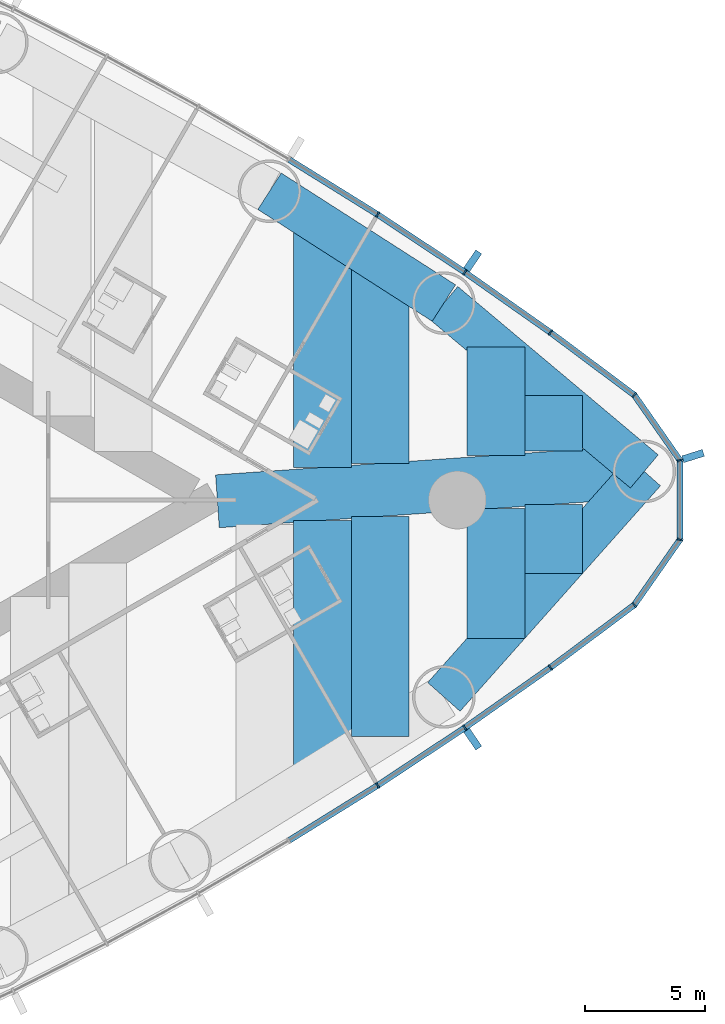
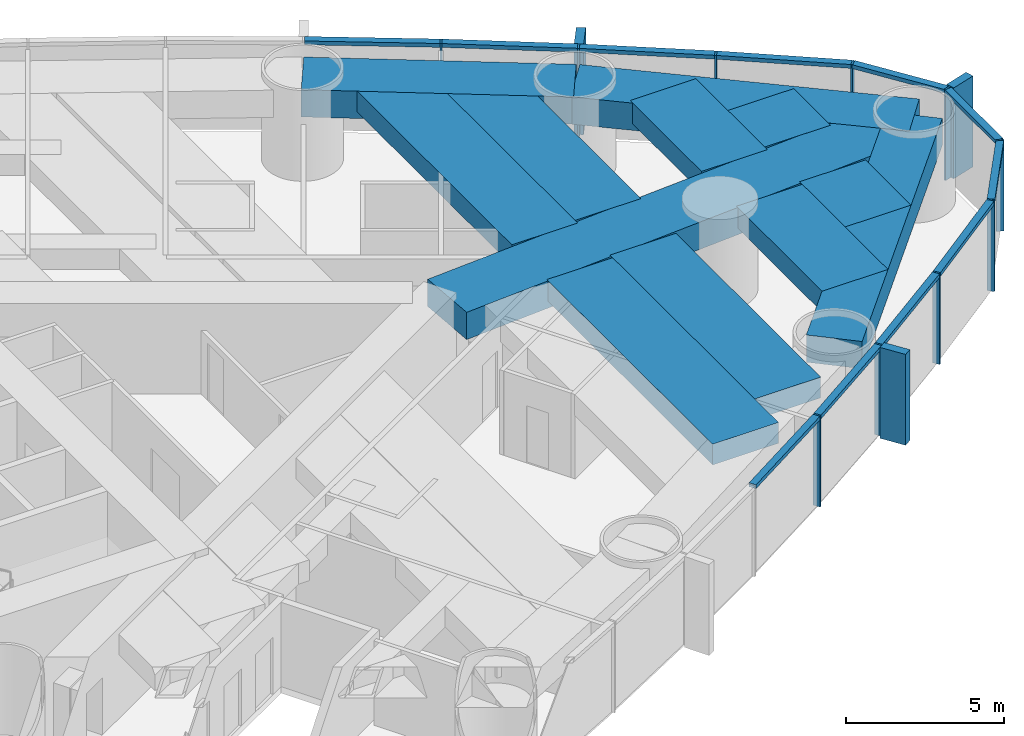
# One storey, part 8 of 19: 24 members, 12 beams, 1 element without a shape of its own.
"""IFC4 building model written with IfcOpenShell, lengths in metres."""

from ifc_helpers import new_model, si_unit, direction, frame, origin, origin_2d, place, context, subcontext, project, spatial, rectangle, extrude, material, material_profile, profile_set, type_object, element, aggregate, save


model = new_model("IFC4")

# Units and contexts
model_context = context("Model", 3, precision=1e-05, world=origin(), true_north=direction((0.0, 1.0)))
body_context = subcontext(model_context, "Body", "Model", "MODEL_VIEW")
ifc_project = project(units=[si_unit("LENGTHUNIT", "METRE"), si_unit("AREAUNIT", "SQUARE_METRE"), si_unit("VOLUMEUNIT", "CUBIC_METRE"), si_unit("PLANEANGLEUNIT", "RADIAN"), si_unit("MASSUNIT", "GRAM", prefix="KILO")], contexts=[model_context])

# Site, building, storey
site_placement = place(None, origin())
site = spatial("IfcSite", under=ifc_project, at=site_placement, CompositionType="ELEMENT")
building_placement = place(site_placement, origin())
building = spatial("IfcBuilding", under=site, at=building_placement, Name="Lancet Gate Hotel", CompositionType="ELEMENT")
storey_placement = place(building_placement, frame((0.0, 0.0, 111.60009765625)))
storey = spatial("IfcBuildingStorey", under=building, at=storey_placement, Name="L29", CompositionType="ELEMENT", Elevation=111.60009765625)

# Curtain wall, members
ifc_material_1 = material(Name="Aluminium curtain wall", Category="aluminium")
curtain_wall_type = type_object("IfcCurtainWallType", Name="Tower unitised curtain wall", PredefinedType="USERDEFINED", material=ifc_material_1)
curtain_wall_placement = place(storey_placement, origin())
curtain_wall = element("IfcCurtainWall", 1, at=curtain_wall_placement, inside=storey, type_object=curtain_wall_type, Name="T2 L29 curtain wall 1", ObjectType="UNITISED CURTAIN WALL", PredefinedType="USERDEFINED")
ifc_material_2 = material(Name="Aluminium mullion", Category="aluminium")
ifc_material_profile_1 = material_profile(ifc_material_2, rectangle(XDim=0.06494140625, YDim=0.25, at=origin_2d()), Name="MULLION 65x250")
ifc_profile_set_1 = profile_set([ifc_material_profile_1], Name="Aluminium mullion")
member_type_1 = type_object("IfcMemberType", Name="Aluminium mullion 65x250", PredefinedType="MULLION", material=ifc_profile_set_1)
member_1_placement = place(storey_placement, frame((58.188720703125, -11.8603515625, 0.0), z_axis=(0.0, 0.0, 1.0), x_axis=(0.841736224144, 0.539888996891, 0.0)))
member_1 = element("IfcMember", 2, at=member_1_placement, type_object=member_type_1, Name="T2 L29 curtain wall 1 mullion 13", PredefinedType="MULLION", context=body_context, shape_type="SweptSolid", body=[
    extrude(rectangle(XDim=0.06494140625, YDim=0.25, at=origin_2d()), origin(), (0.0, 0.0, 1.0), 3.5),
])
member_2_placement = place(storey_placement, frame((61.814208984375, -9.461669921875, 0.0), z_axis=(0.0, 0.0, 1.0), x_axis=(0.826065510491, 0.563574105489, 0.0)))
member_2 = element("IfcMember", 3, at=member_2_placement, type_object=member_type_1, Name="T2 L29 curtain wall 1 mullion 14", PredefinedType="MULLION", context=body_context, shape_type="SweptSolid", body=[
    extrude(rectangle(XDim=0.06494140625, YDim=0.25, at=origin_2d()), origin(), (0.0, 0.0, 1.0), 3.5),
])
member_3_placement = place(storey_placement, frame((65.370361328125, -6.9609375, 0.0), z_axis=(0.0, 0.0, 1.0), x_axis=(0.809728529035, 0.586804660229, 0.0)))
member_3 = element("IfcMember", 4, at=member_3_placement, type_object=member_type_1, Name="T2 L29 curtain wall 1 mullion 15", PredefinedType="MULLION", context=body_context, shape_type="SweptSolid", body=[
    extrude(rectangle(XDim=0.06494140625, YDim=0.25, at=origin_2d()), origin(), (0.0, 0.0, 1.0), 3.5),
])
member_4_placement = place(storey_placement, frame((68.853759765625, -4.360107421875, 0.0), z_axis=(0.0, 0.0, 1.0), x_axis=(0.711610374907, 0.702574319432, 0.0)))
member_4 = element("IfcMember", 5, at=member_4_placement, type_object=member_type_1, Name="T2 L29 curtain wall 1 mullion 16", PredefinedType="MULLION", context=body_context, shape_type="SweptSolid", body=[
    extrude(rectangle(XDim=0.06494140625, YDim=0.25, at=origin_2d()), origin(), (0.0, 0.0, 1.0), 3.5),
])
member_5_placement = place(storey_placement, frame((70.747314453125, -1.652099609375, 0.0), z_axis=(0.0, 0.0, 1.0), x_axis=(0.300384890639, 0.953818073574, 0.0)))
member_5 = element("IfcMember", 6, at=member_5_placement, type_object=member_type_1, Name="T2 L29 curtain wall 1 mullion 17", PredefinedType="MULLION", context=body_context, shape_type="SweptSolid", body=[
    extrude(rectangle(XDim=0.06494140625, YDim=0.25, at=origin_2d()), origin(), (0.0, 0.0, 1.0), 3.5),
])
member_6_placement = place(storey_placement, frame((70.747314453125, 1.652099609375, 0.0), z_axis=(0.0, 0.0, 1.0), x_axis=(-0.300384890639, 0.953818073574, 0.0)))
member_6 = element("IfcMember", 7, at=member_6_placement, type_object=member_type_1, Name="T2 L29 curtain wall 1 mullion 18", PredefinedType="MULLION", context=body_context, shape_type="SweptSolid", body=[
    extrude(rectangle(XDim=0.06494140625, YDim=0.25, at=origin_2d()), origin(), (0.0, 0.0, 1.0), 3.5),
])
member_7_placement = place(storey_placement, frame((68.853759765625, 4.360107421875, 0.0), z_axis=(0.0, 0.0, 1.0), x_axis=(-0.711610374907, 0.702574319432, 0.0)))
member_7 = element("IfcMember", 8, at=member_7_placement, type_object=member_type_1, Name="T2 L29 curtain wall 1 mullion 19", PredefinedType="MULLION", context=body_context, shape_type="SweptSolid", body=[
    extrude(rectangle(XDim=0.06494140625, YDim=0.25, at=origin_2d()), origin(), (0.0, 0.0, 1.0), 3.5),
])
member_8_placement = place(storey_placement, frame((65.370361328125, 6.9609375, 0.0), z_axis=(0.0, 0.0, 1.0), x_axis=(-0.809728529035, 0.586804660229, 0.0)))
member_8 = element("IfcMember", 9, at=member_8_placement, type_object=member_type_1, Name="T2 L29 curtain wall 1 mullion 20", PredefinedType="MULLION", context=body_context, shape_type="SweptSolid", body=[
    extrude(rectangle(XDim=0.06494140625, YDim=0.25, at=origin_2d()), origin(), (0.0, 0.0, 1.0), 3.5),
])
member_9_placement = place(storey_placement, frame((61.814208984375, 9.461669921875, 0.0), z_axis=(0.0, 0.0, 1.0), x_axis=(-0.826065510491, 0.563574105489, 0.0)))
member_9 = element("IfcMember", 10, at=member_9_placement, type_object=member_type_1, Name="T2 L29 curtain wall 1 mullion 21", PredefinedType="MULLION", context=body_context, shape_type="SweptSolid", body=[
    extrude(rectangle(XDim=0.06494140625, YDim=0.25, at=origin_2d()), origin(), (0.0, 0.0, 1.0), 3.5),
])
member_10_placement = place(storey_placement, frame((58.188720703125, 11.8603515625, 0.0), z_axis=(0.0, 0.0, 1.0), x_axis=(-0.841736224144, 0.539888996891, 0.0)))
member_10 = element("IfcMember", 11, at=member_10_placement, type_object=member_type_1, Name="T2 L29 curtain wall 1 mullion 22", PredefinedType="MULLION", context=body_context, shape_type="SweptSolid", body=[
    extrude(rectangle(XDim=0.06494140625, YDim=0.25, at=origin_2d()), origin(), (0.0, 0.0, 1.0), 3.5),
])
ifc_material_3 = material(Name="Aluminium transom", Category="aluminium")
ifc_material_profile_2 = material_profile(ifc_material_3, rectangle(XDim=0.25, YDim=0.14990234375, at=origin_2d()), Name="TRANSOM 250x150")
ifc_profile_set_2 = profile_set([ifc_material_profile_2], Name="Aluminium transom")
member_type_2 = type_object("IfcMemberType", Name="Aluminium transom 250x150", PredefinedType="USERDEFINED", material=ifc_profile_set_2)
member_11_placement = place(storey_placement, frame((54.52392578125, -14.13818359375, 3.4248046875), z_axis=(0.849308812566, 0.527896335371, 0.0), x_axis=(-0.527896335371, 0.849308812566, 0.0)))
member_11 = element("IfcMember", 12, at=member_11_placement, type_object=member_type_2, Name="T2 L29 curtain wall 1 transom 12", ObjectType="TRANSOM", PredefinedType="USERDEFINED", context=body_context, shape_type="SweptSolid", body=[
    extrude(rectangle(XDim=0.25, YDim=0.14990234375, at=origin_2d()), origin(), (0.0, 0.0, 1.0), 4.282470703125),
])
member_12_placement = place(storey_placement, frame((58.2158203125, -11.842529296875, 3.4248046875), z_axis=(0.833966159038, 0.551815590192, 0.0), x_axis=(-0.551815590192, 0.833966159038, 0.0)))
member_12 = element("IfcMember", 13, at=member_12_placement, type_object=member_type_2, Name="T2 L29 curtain wall 1 transom 13", ObjectType="TRANSOM", PredefinedType="USERDEFINED", context=body_context, shape_type="SweptSolid", body=[
    extrude(rectangle(XDim=0.25, YDim=0.14990234375, at=origin_2d()), origin(), (0.0, 0.0, 1.0), 4.2822265625),
])
member_13_placement = place(storey_placement, frame((61.8408203125, -9.44287109375, 3.4248046875), z_axis=(0.817987243547, 0.57523635959, 0.0), x_axis=(-0.57523635959, 0.817987243547, 0.0)))
member_13 = element("IfcMember", 14, at=member_13_placement, type_object=member_type_2, Name="T2 L29 curtain wall 1 transom 14", ObjectType="TRANSOM", PredefinedType="USERDEFINED", context=body_context, shape_type="SweptSolid", body=[
    extrude(rectangle(XDim=0.25, YDim=0.14990234375, at=origin_2d()), origin(), (0.0, 0.0, 1.0), 4.282470703125),
])
member_14_placement = place(storey_placement, frame((65.396240234375, -6.94140625, 3.4248046875), z_axis=(0.801311559064, 0.598247261014, 0.0), x_axis=(-0.598247261014, 0.801311559064, 0.0)))
member_14 = element("IfcMember", 15, at=member_14_placement, type_object=member_type_2, Name="T2 L29 curtain wall 1 transom 15", ObjectType="TRANSOM", PredefinedType="USERDEFINED", context=body_context, shape_type="SweptSolid", body=[
    extrude(rectangle(XDim=0.25, YDim=0.14990234375, at=origin_2d()), origin(), (0.0, 0.0, 1.0), 4.282470703125),
])
member_15_placement = place(storey_placement, frame((68.87255859375, -4.33349609375, 3.4248046875), z_axis=(0.573017137751, 0.819543384967, 0.0), x_axis=(-0.819543384967, 0.573017137751, 0.0)))
member_15 = element("IfcMember", 16, at=member_15_placement, type_object=member_type_2, Name="T2 L29 curtain wall 1 transom 16", ObjectType="TRANSOM", PredefinedType="USERDEFINED", context=body_context, shape_type="SweptSolid", body=[
    extrude(rectangle(XDim=0.25, YDim=0.14990234375, at=origin_2d()), origin(), (0.0, 0.0, 1.0), 3.2392578125),
])
member_16_placement = place(storey_placement, frame((70.747314453125, -1.61962890625, 3.4248046875), z_axis=(0.0, 1.0, 0.0), x_axis=(-1.0, 0.0, 0.0)))
member_16 = element("IfcMember", 17, at=member_16_placement, type_object=member_type_2, Name="T2 L29 curtain wall 1 transom 17", ObjectType="TRANSOM", PredefinedType="USERDEFINED", context=body_context, shape_type="SweptSolid", body=[
    extrude(rectangle(XDim=0.25, YDim=0.14990234375, at=origin_2d()), origin(), (0.0, 0.0, 1.0), 3.2392578125),
])
member_17_placement = place(storey_placement, frame((70.728759765625, 1.6787109375, 3.4248046875), z_axis=(-0.573017137751, 0.819543384967, 0.0), x_axis=(-0.819543384967, -0.573017137751, 0.0)))
member_17 = element("IfcMember", 18, at=member_17_placement, type_object=member_type_2, Name="T2 L29 curtain wall 1 transom 18", ObjectType="TRANSOM", PredefinedType="USERDEFINED", context=body_context, shape_type="SweptSolid", body=[
    extrude(rectangle(XDim=0.25, YDim=0.14990234375, at=origin_2d()), origin(), (0.0, 0.0, 1.0), 3.2392578125),
])
member_18_placement = place(storey_placement, frame((68.827880859375, 4.37939453125, 3.4248046875), z_axis=(-0.801311559064, 0.598247261014, 0.0), x_axis=(-0.598247261014, -0.801311559064, 0.0)))
member_18 = element("IfcMember", 19, at=member_18_placement, type_object=member_type_2, Name="T2 L29 curtain wall 1 transom 19", ObjectType="TRANSOM", PredefinedType="USERDEFINED", context=body_context, shape_type="SweptSolid", body=[
    extrude(rectangle(XDim=0.25, YDim=0.14990234375, at=origin_2d()), origin(), (0.0, 0.0, 1.0), 4.282470703125),
])
member_19_placement = place(storey_placement, frame((65.34375, 6.9794921875, 3.4248046875), z_axis=(-0.817987243547, 0.57523635959, 0.0), x_axis=(-0.57523635959, -0.817987243547, 0.0)))
member_19 = element("IfcMember", 20, at=member_19_placement, type_object=member_type_2, Name="T2 L29 curtain wall 1 transom 20", ObjectType="TRANSOM", PredefinedType="USERDEFINED", context=body_context, shape_type="SweptSolid", body=[
    extrude(rectangle(XDim=0.25, YDim=0.14990234375, at=origin_2d()), origin(), (0.0, 0.0, 1.0), 4.282470703125),
])
member_20_placement = place(storey_placement, frame((61.787109375, 9.4794921875, 3.4248046875), z_axis=(-0.833966159038, 0.551815590192, 0.0), x_axis=(-0.551815590192, -0.833966159038, 0.0)))
member_20 = element("IfcMember", 21, at=member_20_placement, type_object=member_type_2, Name="T2 L29 curtain wall 1 transom 21", ObjectType="TRANSOM", PredefinedType="USERDEFINED", context=body_context, shape_type="SweptSolid", body=[
    extrude(rectangle(XDim=0.25, YDim=0.14990234375, at=origin_2d()), origin(), (0.0, 0.0, 1.0), 4.2822265625),
])
member_21_placement = place(storey_placement, frame((58.1611328125, 11.87744140625, 3.4248046875), z_axis=(-0.849308812566, 0.527896335371, 0.0), x_axis=(-0.527896335371, -0.849308812566, 0.0)))
member_21 = element("IfcMember", 22, at=member_21_placement, type_object=member_type_2, Name="T2 L29 curtain wall 1 transom 22", ObjectType="TRANSOM", PredefinedType="USERDEFINED", context=body_context, shape_type="SweptSolid", body=[
    extrude(rectangle(XDim=0.25, YDim=0.14990234375, at=origin_2d()), origin(), (0.0, 0.0, 1.0), 4.282470703125),
])

# Beams
ifc_material_4 = material(Name="Concrete C50/60", Category="concrete")
ifc_material_profile_3 = material_profile(ifc_material_4, rectangle(XDim=1.800048828125, YDim=1.050048828125, at=origin_2d()), Name="RC 1800x1050")
ifc_profile_set_3 = profile_set([ifc_material_profile_3], Name="Concrete C50/60")
beam_type_1 = type_object("IfcBeamType", Name="Edge beam RC 1800x1050", PredefinedType="SPANDREL", material=ifc_profile_set_3)
beam_1_placement = place(storey_placement, frame((60.940673828125, -8.18115234375, 2.724853515625), z_axis=(0.664421866815, 0.74735773422, 0.0), x_axis=(-0.74735773422, 0.664421866815, 0.0)))
element("IfcBeam", 23, at=beam_1_placement, inside=storey, type_object=beam_type_1, Name="T2 edge beam EB1 L29", PredefinedType="SPANDREL", context=body_context, shape_type="SweptSolid", body=[
    extrude(rectangle(XDim=1.800048828125, YDim=1.050048828125, at=origin_2d()), origin(), (0.0, 0.0, 1.0), 12.534423828125),
])
beam_2_placement = place(storey_placement, frame((69.268798828125, 1.1865234375, 2.724853515625), z_axis=(-0.765749969712, 0.643138386264, 0.0), x_axis=(-0.643138386264, -0.765749969712, 0.0)))
element("IfcBeam", 24, at=beam_2_placement, inside=storey, type_object=beam_type_1, Name="T2 edge beam EB1 L29", PredefinedType="SPANDREL", context=body_context, shape_type="SweptSolid", body=[
    extrude(rectangle(XDim=1.800048828125, YDim=1.050048828125, at=origin_2d()), origin(), (0.0, 0.0, 1.0), 10.875732421875),
])
beam_3_placement = place(storey_placement, frame((60.940673828125, 8.18115234375, 2.724853515625), z_axis=(-0.841727408736, 0.539902740669, 0.0), x_axis=(-0.539902740669, -0.841727408736, 0.0)))
element("IfcBeam", 25, at=beam_3_placement, inside=storey, type_object=beam_type_1, Name="T2 edge beam EB1 L29", PredefinedType="SPANDREL", context=body_context, shape_type="SweptSolid", body=[
    extrude(rectangle(XDim=1.800048828125, YDim=1.050048828125, at=origin_2d()), origin(), (0.0, 0.0, 1.0), 8.605712890625),
])

# Member
ifc_material_5 = material(Name="Precast concrete C50/60", Category="concrete")
ifc_material_profile_4 = material_profile(ifc_material_5, rectangle(XDim=0.300048828125, YDim=0.89990234375, at=origin_2d()), Name="FIN 300x900")
ifc_profile_set_4 = profile_set([ifc_material_profile_4], Name="Precast concrete C50/60")
member_type_3 = type_object("IfcMemberType", Name="Exposed concrete fin 300x900", PredefinedType="USERDEFINED", material=ifc_profile_set_4)
member_22_placement = place(storey_placement, frame((62.138427734375, -9.9365234375, 0.0), z_axis=(0.0, 0.0, 1.0), x_axis=(0.826065510491, 0.563574105489, 0.0)))
member_22 = element("IfcMember", 26, at=member_22_placement, type_object=member_type_3, Name="T2 L29 curtain wall 1 fin 14", ObjectType="FIN", PredefinedType="USERDEFINED", context=body_context, shape_type="SweptSolid", body=[
    extrude(rectangle(XDim=0.300048828125, YDim=0.89990234375, at=origin_2d()), origin(), (0.0, 0.0, 1.0), 3.5),
])

member_23_placement = place(storey_placement, frame((71.295654296875, 1.824951171875, 0.0), z_axis=(0.0, 0.0, 1.0), x_axis=(-0.300384890639, 0.953818073574, 0.0)))
member_23 = element("IfcMember", 27, at=member_23_placement, type_object=member_type_3, Name="T2 L29 curtain wall 1 fin 18", ObjectType="FIN", PredefinedType="USERDEFINED", context=body_context, shape_type="SweptSolid", body=[
    extrude(rectangle(XDim=0.300048828125, YDim=0.89990234375, at=origin_2d()), origin(), (0.0, 0.0, 1.0), 3.5),
])

member_24_placement = place(storey_placement, frame((62.138427734375, 9.9365234375, 0.0), z_axis=(0.0, 0.0, 1.0), x_axis=(-0.826065510491, 0.563574105489, 0.0)))
member_24 = element("IfcMember", 28, at=member_24_placement, type_object=member_type_3, Name="T2 L29 curtain wall 1 fin 21", ObjectType="FIN", PredefinedType="USERDEFINED", context=body_context, shape_type="SweptSolid", body=[
    extrude(rectangle(XDim=0.300048828125, YDim=0.89990234375, at=origin_2d()), origin(), (0.0, 0.0, 1.0), 3.5),
])

aggregate(curtain_wall, [member_1, member_2, member_22, member_3, member_4, member_5, member_6, member_23, member_7, member_8, member_9, member_24, member_10, member_11, member_12, member_13, member_14, member_15, member_16, member_17, member_18, member_19, member_20, member_21])

# Beams
ifc_material_6 = material(Name="Concrete C50/60", Category="concrete")
ifc_material_profile_5 = material_profile(ifc_material_6, rectangle(XDim=2.39990234375, YDim=0.800048828125, at=origin_2d()), Name="RC 2400x800")
ifc_profile_set_5 = profile_set([ifc_material_profile_5], Name="Concrete C50/60")
beam_type_2 = type_object("IfcBeamType", Name="Floor beam RC 2400x800", PredefinedType="BEAM", material=ifc_profile_set_5)
beam_4_placement = place(storey_placement, frame((55.90234375, -11.312744140625, 2.849853515625), z_axis=(0.0, 1.0, 0.0), x_axis=(-1.0, 0.0, 0.0)))
element("IfcBeam", 29, at=beam_4_placement, inside=storey, type_object=beam_type_2, Name="T2 floor beam F14S L29", PredefinedType="BEAM", context=body_context, shape_type="SweptSolid", body=[
    extrude(rectangle(XDim=2.39990234375, YDim=0.800048828125, at=origin_2d()), origin(), (0.0, 0.0, 1.0), 10.4619140625),
])
beam_5_placement = place(storey_placement, frame((55.90234375, 1.3544921875, 2.849853515625), z_axis=(0.0, 1.0, 0.0), x_axis=(-1.0, 0.0, 0.0)))
element("IfcBeam", 30, at=beam_5_placement, inside=storey, type_object=beam_type_2, Name="T2 floor beam F15N L29", PredefinedType="BEAM", context=body_context, shape_type="SweptSolid", body=[
    extrude(rectangle(XDim=2.39990234375, YDim=0.800048828125, at=origin_2d()), origin(), (0.0, 0.0, 1.0), 10.058349609375),
])
beam_6_placement = place(storey_placement, frame((58.30224609375, -9.821044921875, 2.849853515625), z_axis=(0.0, 1.0, 0.0), x_axis=(-1.0, 0.0, 0.0)))
element("IfcBeam", 31, at=beam_6_placement, inside=storey, type_object=beam_type_2, Name="T2 floor beam F16S L29", PredefinedType="BEAM", context=body_context, shape_type="SweptSolid", body=[
    extrude(rectangle(XDim=2.39990234375, YDim=0.800048828125, at=origin_2d()), origin(), (0.0, 0.0, 1.0), 9.137939453125),
])
beam_7_placement = place(storey_placement, frame((58.30224609375, 1.522216796875, 2.849853515625), z_axis=(0.0, 1.0, 0.0), x_axis=(-1.0, 0.0, 0.0)))
element("IfcBeam", 32, at=beam_7_placement, inside=storey, type_object=beam_type_2, Name="T2 floor beam F17N L29", PredefinedType="BEAM", context=body_context, shape_type="SweptSolid", body=[
    extrude(rectangle(XDim=2.39990234375, YDim=0.800048828125, at=origin_2d()), origin(), (0.0, 0.0, 1.0), 8.351318359375),
])
beam_8_placement = place(storey_placement, frame((63.102294921875, -5.75, 2.849853515625), z_axis=(0.0, 1.0, 0.0), x_axis=(-1.0, 0.0, 0.0)))
element("IfcBeam", 33, at=beam_8_placement, inside=storey, type_object=beam_type_2, Name="T2 floor beam F18S L29", PredefinedType="BEAM", context=body_context, shape_type="SweptSolid", body=[
    extrude(rectangle(XDim=2.39990234375, YDim=0.800048828125, at=origin_2d()), origin(), (0.0, 0.0, 1.0), 5.402587890625),
])
beam_9_placement = place(storey_placement, frame((63.102294921875, 1.85791015625, 2.849853515625), z_axis=(0.0, 1.0, 0.0), x_axis=(-1.0, 0.0, 0.0)))
element("IfcBeam", 34, at=beam_9_placement, inside=storey, type_object=beam_type_2, Name="T2 floor beam F19N L29", PredefinedType="BEAM", context=body_context, shape_type="SweptSolid", body=[
    extrude(rectangle(XDim=2.39990234375, YDim=0.800048828125, at=origin_2d()), origin(), (0.0, 0.0, 1.0), 4.5078125),
])
beam_10_placement = place(storey_placement, frame((65.502197265625, -3.05029296875, 2.849853515625), z_axis=(0.0, 1.0, 0.0), x_axis=(-1.0, 0.0, 0.0)))
element("IfcBeam", 35, at=beam_10_placement, inside=storey, type_object=beam_type_2, Name="T2 floor beam F20S L29", PredefinedType="BEAM", context=body_context, shape_type="SweptSolid", body=[
    extrude(rectangle(XDim=2.39990234375, YDim=0.800048828125, at=origin_2d()), origin(), (0.0, 0.0, 1.0), 2.87060546875),
])
beam_11_placement = place(storey_placement, frame((65.502197265625, 2.02587890625, 2.849853515625), z_axis=(0.0, 1.0, 0.0), x_axis=(-1.0, 0.0, 0.0)))
element("IfcBeam", 36, at=beam_11_placement, inside=storey, type_object=beam_type_2, Name="T2 floor beam F21N L29", PredefinedType="BEAM", context=body_context, shape_type="SweptSolid", body=[
    extrude(rectangle(XDim=2.39990234375, YDim=0.800048828125, at=origin_2d()), origin(), (0.0, 0.0, 1.0), 2.32421875),
])
ifc_material_7 = material(Name="Concrete C50/60", Category="concrete")
ifc_material_profile_6 = material_profile(ifc_material_7, rectangle(XDim=2.199951171875, YDim=1.050048828125, at=origin_2d()), Name="RC 2200x1050")
ifc_profile_set_6 = profile_set([ifc_material_profile_6], Name="Concrete C50/60")
beam_type_3 = type_object("IfcBeamType", Name="Radial floor beam RC 2200x1050", PredefinedType="BEAM", material=ifc_profile_set_6)
beam_12_placement = place(storey_placement, frame((69.268798828125, 1.1865234375, 2.724853515625), z_axis=(-0.99756389092, -0.069758752369, 0.0), x_axis=(0.069758752369, -0.99756389092, 0.0)))
element("IfcBeam", 37, at=beam_12_placement, inside=storey, type_object=beam_type_3, Name="T2 radial beam CA L29", PredefinedType="BEAM", context=body_context, shape_type="SweptSolid", body=[
    extrude(rectangle(XDim=2.199951171875, YDim=1.050048828125, at=origin_2d()), origin(), (0.0, 0.0, 1.0), 17.77880859375),
])

save(model, "model.ifc")
